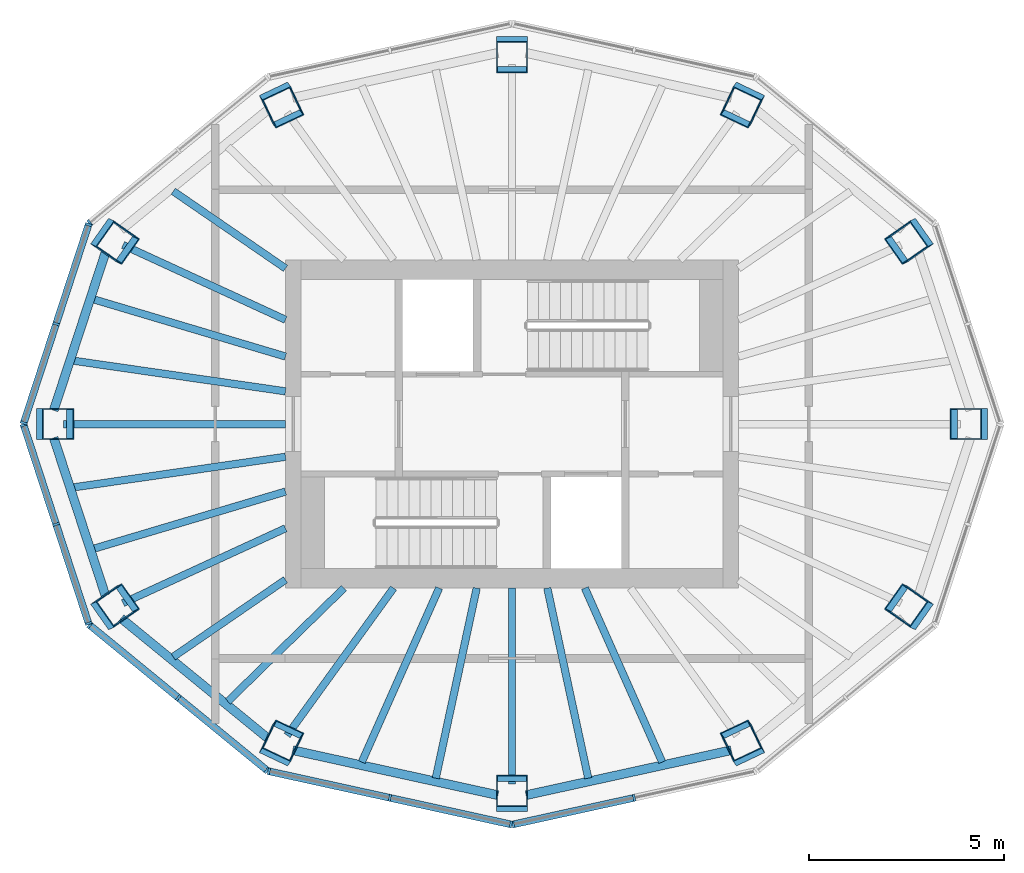
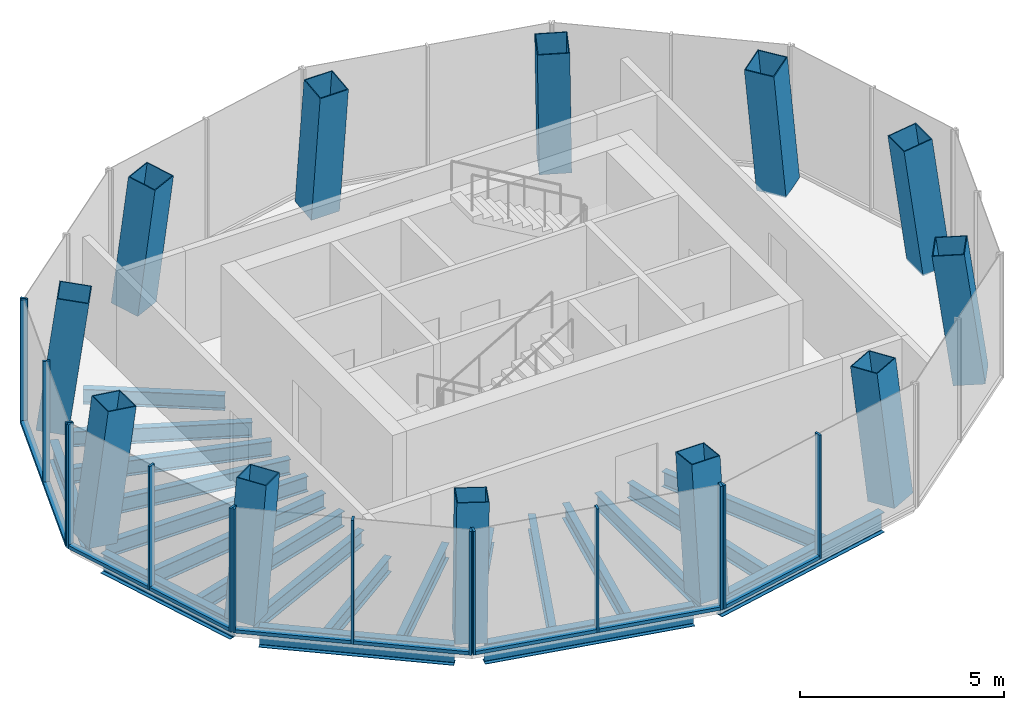
# One storey, part 1 of 5: 24 members, 21 beams, 12 columns, 6 elements without a shape of their own.
"""IFC4 building model written with IfcOpenShell, lengths in metres."""

from ifc_helpers import new_model, si_unit, direction, frame, origin, origin_2d, place, context, subcontext, project, spatial, rectangle, hollow_rectangle, i_section, extrude, material, layer, layer_set, material_profile, profile_set, type_object, element, aggregate, save


model = new_model("IFC4")

# Units and contexts
model_context = context("Model", 3, precision=1e-05, world=origin(), true_north=direction((0.0, 1.0)))
body_context = subcontext(model_context, "Body", "Model", "MODEL_VIEW")
ifc_project = project(units=[si_unit("LENGTHUNIT", "METRE"), si_unit("AREAUNIT", "SQUARE_METRE"), si_unit("VOLUMEUNIT", "CUBIC_METRE"), si_unit("PLANEANGLEUNIT", "RADIAN"), si_unit("MASSUNIT", "GRAM", prefix="KILO")], contexts=[model_context])

# Site, building, storey
site_placement = place(None, origin())
site = spatial("IfcSite", under=ifc_project, at=site_placement, CompositionType="ELEMENT")
building_placement = place(site_placement, origin())
building = spatial("IfcBuilding", under=site, at=building_placement, Name="Siaravel Broadcast Tower", CompositionType="ELEMENT")
storey_placement = place(building_placement, frame((0.0, 0.0, 276.5)))
storey = spatial("IfcBuildingStorey", under=building, at=storey_placement, Name="L67", CompositionType="ELEMENT", Elevation=276.5)

# Columns
ifc_material_1 = material(Name="Concrete C50/60", Category="concrete")
ifc_material_profile_1 = material_profile(ifc_material_1, hollow_rectangle(XDim=0.800048828125, YDim=0.800048828125, WallThickness=0.02490234375, at=origin_2d()))
ifc_profile_set_1 = profile_set([ifc_material_profile_1], Name="Concrete C50/60")
column_type = type_object("IfcColumnType", Name="Crown rib CFT BOX 800x800x25", PredefinedType="COLUMN", material=ifc_profile_set_1)
column_1_placement = place(storey_placement, frame((11.78076171875, 0.0, 0.0), z_axis=(-0.136922778, 0.0, 0.990581725), x_axis=(0.0, -1.0, 0.0)))
element("IfcColumn", 1, at=column_1_placement, inside=storey, type_object=column_type, Name="Crown rib 01", PredefinedType="COLUMN", context=body_context, shape_type="SweptSolid", body=[
    extrude(hollow_rectangle(XDim=0.800048828125, YDim=0.800048828125, WallThickness=0.02490234375, at=origin_2d()), origin(), (0.0, 0.0, 1.0), 3.93701171875),
])
column_2_placement = place(storey_placement, frame((10.235595703125, 4.711181640625, 0.0), z_axis=(-0.11903511, -0.054738773, 0.991380002), x_axis=(0.574404312, -0.818225941, 0.023790672)))
element("IfcColumn", 2, at=column_2_placement, inside=storey, type_object=column_type, Name="Crown rib 02", PredefinedType="COLUMN", context=body_context, shape_type="SweptSolid", body=[
    extrude(hollow_rectangle(XDim=0.800048828125, YDim=0.800048828125, WallThickness=0.02490234375, at=origin_2d()), origin(), (0.0, 0.0, 1.0), 3.933837890625),
])
column_3_placement = place(storey_placement, frame((5.939697265625, 8.22412109375, 0.0), z_axis=(-0.069187562, -0.095793381, 0.992993811), x_axis=(0.903243481, -0.428585039, 0.02158886)))
element("IfcColumn", 3, at=column_3_placement, inside=storey, type_object=column_type, Name="Crown rib 03", PredefinedType="COLUMN", context=body_context, shape_type="SweptSolid", body=[
    extrude(hollow_rectangle(XDim=0.800048828125, YDim=0.800048828125, WallThickness=0.02490234375, at=origin_2d()), origin(), (0.0, 0.0, 1.0), 3.927490234375),
])
column_4_placement = place(storey_placement, frame((0.0, 9.5263671875, 0.0), z_axis=(0.0, -0.111052891, 0.993814497), x_axis=(1.0, 0.0, 0.0)))
element("IfcColumn", 4, at=column_4_placement, inside=storey, type_object=column_type, Name="Crown rib 04", PredefinedType="COLUMN", context=body_context, shape_type="SweptSolid", body=[
    extrude(hollow_rectangle(XDim=0.800048828125, YDim=0.800048828125, WallThickness=0.02490234375, at=origin_2d()), origin(), (0.0, 0.0, 1.0), 3.924072265625),
])
column_5_placement = place(storey_placement, frame((-5.939697265625, 8.22412109375, 0.0), z_axis=(0.069187562, -0.095793381, 0.992993811), x_axis=(0.903243481, 0.428585039, -0.02158886)))
element("IfcColumn", 5, at=column_5_placement, inside=storey, type_object=column_type, Name="Crown rib 05", PredefinedType="COLUMN", context=body_context, shape_type="SweptSolid", body=[
    extrude(hollow_rectangle(XDim=0.800048828125, YDim=0.800048828125, WallThickness=0.02490234375, at=origin_2d()), origin(), (0.0, 0.0, 1.0), 3.927490234375),
])
column_6_placement = place(storey_placement, frame((-10.235595703125, 4.711181640625, 0.0), z_axis=(0.11903511, -0.054738773, 0.991380002), x_axis=(0.574404312, 0.818225941, -0.023790672)))
element("IfcColumn", 6, at=column_6_placement, inside=storey, type_object=column_type, Name="Crown rib 06", PredefinedType="COLUMN", context=body_context, shape_type="SweptSolid", body=[
    extrude(hollow_rectangle(XDim=0.800048828125, YDim=0.800048828125, WallThickness=0.02490234375, at=origin_2d()), origin(), (0.0, 0.0, 1.0), 3.933837890625),
])
column_7_placement = place(storey_placement, frame((-11.78076171875, 0.0, 0.0), z_axis=(0.136922778, 0.0, 0.990581725), x_axis=(0.0, 1.0, 0.0)))
element("IfcColumn", 7, at=column_7_placement, inside=storey, type_object=column_type, Name="Crown rib 07", PredefinedType="COLUMN", context=body_context, shape_type="SweptSolid", body=[
    extrude(hollow_rectangle(XDim=0.800048828125, YDim=0.800048828125, WallThickness=0.02490234375, at=origin_2d()), origin(), (0.0, 0.0, 1.0), 3.93701171875),
])
column_8_placement = place(storey_placement, frame((-10.235595703125, -4.711181640625, 0.0), z_axis=(0.11903511, 0.054738773, 0.991380002), x_axis=(-0.574404312, 0.818225941, 0.023790672)))
element("IfcColumn", 8, at=column_8_placement, inside=storey, type_object=column_type, Name="Crown rib 08", PredefinedType="COLUMN", context=body_context, shape_type="SweptSolid", body=[
    extrude(hollow_rectangle(XDim=0.800048828125, YDim=0.800048828125, WallThickness=0.02490234375, at=origin_2d()), origin(), (0.0, 0.0, 1.0), 3.933837890625),
])
column_9_placement = place(storey_placement, frame((-5.939697265625, -8.22412109375, 0.0), z_axis=(0.069187562, 0.095793381, 0.992993811), x_axis=(-0.903243481, 0.428585039, 0.02158886)))
element("IfcColumn", 9, at=column_9_placement, inside=storey, type_object=column_type, Name="Crown rib 09", PredefinedType="COLUMN", context=body_context, shape_type="SweptSolid", body=[
    extrude(hollow_rectangle(XDim=0.800048828125, YDim=0.800048828125, WallThickness=0.02490234375, at=origin_2d()), origin(), (0.0, 0.0, 1.0), 3.927490234375),
])
column_10_placement = place(storey_placement, frame((0.0, -9.5263671875, 0.0), z_axis=(0.0, 0.111052891, 0.993814497), x_axis=(-1.0, 0.0, 0.0)))
element("IfcColumn", 10, at=column_10_placement, inside=storey, type_object=column_type, Name="Crown rib 10", PredefinedType="COLUMN", context=body_context, shape_type="SweptSolid", body=[
    extrude(hollow_rectangle(XDim=0.800048828125, YDim=0.800048828125, WallThickness=0.02490234375, at=origin_2d()), origin(), (0.0, 0.0, 1.0), 3.924072265625),
])
column_11_placement = place(storey_placement, frame((5.939697265625, -8.22412109375, 0.0), z_axis=(-0.069187562, 0.095793381, 0.992993811), x_axis=(-0.903243481, -0.428585039, -0.02158886)))
element("IfcColumn", 11, at=column_11_placement, inside=storey, type_object=column_type, Name="Crown rib 11", PredefinedType="COLUMN", context=body_context, shape_type="SweptSolid", body=[
    extrude(hollow_rectangle(XDim=0.800048828125, YDim=0.800048828125, WallThickness=0.02490234375, at=origin_2d()), origin(), (0.0, 0.0, 1.0), 3.927490234375),
])
column_12_placement = place(storey_placement, frame((10.235595703125, -4.711181640625, 0.0), z_axis=(-0.11903511, 0.054738773, 0.991380002), x_axis=(-0.574404312, -0.818225941, -0.023790672)))
element("IfcColumn", 12, at=column_12_placement, inside=storey, type_object=column_type, Name="Crown rib 12", PredefinedType="COLUMN", context=body_context, shape_type="SweptSolid", body=[
    extrude(hollow_rectangle(XDim=0.800048828125, YDim=0.800048828125, WallThickness=0.02490234375, at=origin_2d()), origin(), (0.0, 0.0, 1.0), 3.933837890625),
])

# Curtain wall, member
ifc_material_2 = material(Name="Aluminium 6063-T6", Category="aluminium")
ifc_layer = layer(ifc_material_2, 0.179931640625)
ifc_layer_set = layer_set([ifc_layer], Name="Aluminium 6063-T6")
curtain_wall_type = type_object("IfcCurtainWallType", Name="Crown glass facet wall", PredefinedType="NOTDEFINED", material=ifc_layer_set)
curtain_wall_1_placement = place(storey_placement, origin())
curtain_wall_1 = element("IfcCurtainWall", 13, at=curtain_wall_1_placement, inside=storey, type_object=curtain_wall_type, Name="L67 Crown glass facet wall 05", PredefinedType="NOTDEFINED")
ifc_material_profile_2 = material_profile(ifc_material_2, rectangle(XDim=0.179931640625, YDim=0.06005859375, at=origin_2d()))
ifc_profile_set_2 = profile_set([ifc_material_profile_2], Name="Aluminium 6063-T6")
member_type_1 = type_object("IfcMemberType", Name="CW-CR mullion", PredefinedType="MULLION", material=ifc_profile_set_2)
member_1_placement = place(storey_placement, frame((-10.810546875, 5.15185546875, 0.0), z_axis=(0.0, 0.0, 1.0), x_axis=(0.6337126, -0.773568575, 0.0)))
member_1 = element("IfcMember", 14, at=member_1_placement, type_object=member_type_1, Name="CW-CR mullion 3", PredefinedType="MULLION", context=body_context, shape_type="SweptSolid", body=[
    extrude(rectangle(XDim=0.179931640625, YDim=0.06005859375, at=origin_2d()), origin(), (0.0, 0.0, 1.0), 3.699951171875),
])
aggregate(curtain_wall_1, [member_1])

# Curtain wall, members
curtain_wall_2_placement = place(storey_placement, origin())
curtain_wall_2 = element("IfcCurtainWall", 15, at=curtain_wall_2_placement, inside=storey, type_object=curtain_wall_type, Name="L67 Crown glass facet wall 06", PredefinedType="NOTDEFINED")
member_2_placement = place(storey_placement, frame((-10.843017578125, 5.1044921875, 0.0), z_axis=(0.0, 0.0, 1.0), x_axis=(0.950455683, -0.310860089, 0.0)))
member_2 = element("IfcMember", 16, at=member_2_placement, type_object=member_type_1, Name="CW-CR mullion 1", PredefinedType="MULLION", context=body_context, shape_type="SweptSolid", body=[
    extrude(rectangle(XDim=0.179931640625, YDim=0.06005859375, at=origin_2d()), origin(), (0.0, 0.0, 1.0), 3.699951171875),
])
member_3_placement = place(storey_placement, frame((-11.673095703125, 2.56640625, 0.0), z_axis=(0.0, 0.0, 1.0), x_axis=(0.950455683, -0.310860089, 0.0)))
member_3 = element("IfcMember", 17, at=member_3_placement, type_object=member_type_1, Name="CW-CR mullion 2", PredefinedType="MULLION", context=body_context, shape_type="SweptSolid", body=[
    extrude(rectangle(XDim=0.179931640625, YDim=0.06005859375, at=origin_2d()), origin(), (0.0, 0.0, 1.0), 3.699951171875),
])
member_4_placement = place(storey_placement, frame((-12.503173828125, 0.028564453125, 0.0), z_axis=(0.0, 0.0, 1.0), x_axis=(0.950455683, -0.310860089, 0.0)))
member_4 = element("IfcMember", 18, at=member_4_placement, type_object=member_type_1, Name="CW-CR mullion 3", PredefinedType="MULLION", context=body_context, shape_type="SweptSolid", body=[
    extrude(rectangle(XDim=0.179931640625, YDim=0.06005859375, at=origin_2d()), origin(), (0.0, 0.0, 1.0), 3.699951171875),
])

curtain_wall_3_placement = place(storey_placement, origin())
curtain_wall_3 = element("IfcCurtainWall", 19, at=curtain_wall_3_placement, inside=storey, type_object=curtain_wall_type, Name="L67 Crown glass facet wall 07", PredefinedType="NOTDEFINED")
member_5_placement = place(storey_placement, frame((-12.503173828125, -0.028564453125, 0.0), z_axis=(0.0, 0.0, 1.0), x_axis=(0.950455683, 0.310860089, 0.0)))
member_5 = element("IfcMember", 20, at=member_5_placement, type_object=member_type_1, Name="CW-CR mullion 1", PredefinedType="MULLION", context=body_context, shape_type="SweptSolid", body=[
    extrude(rectangle(XDim=0.179931640625, YDim=0.06005859375, at=origin_2d()), origin(), (0.0, 0.0, 1.0), 3.699951171875),
])
member_6_placement = place(storey_placement, frame((-11.673095703125, -2.56640625, 0.0), z_axis=(0.0, 0.0, 1.0), x_axis=(0.950455683, 0.310860089, 0.0)))
member_6 = element("IfcMember", 21, at=member_6_placement, type_object=member_type_1, Name="CW-CR mullion 2", PredefinedType="MULLION", context=body_context, shape_type="SweptSolid", body=[
    extrude(rectangle(XDim=0.179931640625, YDim=0.06005859375, at=origin_2d()), origin(), (0.0, 0.0, 1.0), 3.699951171875),
])
member_7_placement = place(storey_placement, frame((-10.843017578125, -5.1044921875, 0.0), z_axis=(0.0, 0.0, 1.0), x_axis=(0.950455683, 0.310860089, 0.0)))
member_7 = element("IfcMember", 22, at=member_7_placement, type_object=member_type_1, Name="CW-CR mullion 3", PredefinedType="MULLION", context=body_context, shape_type="SweptSolid", body=[
    extrude(rectangle(XDim=0.179931640625, YDim=0.06005859375, at=origin_2d()), origin(), (0.0, 0.0, 1.0), 3.699951171875),
])

curtain_wall_4_placement = place(storey_placement, origin())
curtain_wall_4 = element("IfcCurtainWall", 23, at=curtain_wall_4_placement, inside=storey, type_object=curtain_wall_type, Name="L67 Crown glass facet wall 08", PredefinedType="NOTDEFINED")
member_8_placement = place(storey_placement, frame((-10.810546875, -5.15185546875, 0.0), z_axis=(0.0, 0.0, 1.0), x_axis=(0.6337126, 0.773568575, 0.0)))
member_8 = element("IfcMember", 24, at=member_8_placement, type_object=member_type_1, Name="CW-CR mullion 1", PredefinedType="MULLION", context=body_context, shape_type="SweptSolid", body=[
    extrude(rectangle(XDim=0.179931640625, YDim=0.06005859375, at=origin_2d()), origin(), (0.0, 0.0, 1.0), 3.699951171875),
])
member_9_placement = place(storey_placement, frame((-8.543212890625, -7.00927734375, 0.0), z_axis=(0.0, 0.0, 1.0), x_axis=(0.6337126, 0.773568575, 0.0)))
member_9 = element("IfcMember", 25, at=member_9_placement, type_object=member_type_1, Name="CW-CR mullion 2", PredefinedType="MULLION", context=body_context, shape_type="SweptSolid", body=[
    extrude(rectangle(XDim=0.179931640625, YDim=0.06005859375, at=origin_2d()), origin(), (0.0, 0.0, 1.0), 3.699951171875),
])
member_10_placement = place(storey_placement, frame((-6.27587890625, -8.86669921875, 0.0), z_axis=(0.0, 0.0, 1.0), x_axis=(0.6337126, 0.773568575, 0.0)))
member_10 = element("IfcMember", 26, at=member_10_placement, type_object=member_type_1, Name="CW-CR mullion 3", PredefinedType="MULLION", context=body_context, shape_type="SweptSolid", body=[
    extrude(rectangle(XDim=0.179931640625, YDim=0.06005859375, at=origin_2d()), origin(), (0.0, 0.0, 1.0), 3.699951171875),
])

curtain_wall_5_placement = place(storey_placement, origin())
curtain_wall_5 = element("IfcCurtainWall", 27, at=curtain_wall_5_placement, inside=storey, type_object=curtain_wall_type, Name="L67 Crown glass facet wall 09", PredefinedType="NOTDEFINED")
member_11_placement = place(storey_placement, frame((-6.223388671875, -8.89208984375, 0.0), z_axis=(0.0, 0.0, 1.0), x_axis=(0.214394106, 0.976747238, 0.0)))
member_11 = element("IfcMember", 28, at=member_11_placement, type_object=member_type_1, Name="CW-CR mullion 1", PredefinedType="MULLION", context=body_context, shape_type="SweptSolid", body=[
    extrude(rectangle(XDim=0.179931640625, YDim=0.06005859375, at=origin_2d()), origin(), (0.0, 0.0, 1.0), 3.699951171875),
])
member_12_placement = place(storey_placement, frame((-3.126220703125, -9.572021484375, 0.0), z_axis=(0.0, 0.0, 1.0), x_axis=(0.214394106, 0.976747238, 0.0)))
member_12 = element("IfcMember", 29, at=member_12_placement, type_object=member_type_1, Name="CW-CR mullion 2", PredefinedType="MULLION", context=body_context, shape_type="SweptSolid", body=[
    extrude(rectangle(XDim=0.179931640625, YDim=0.06005859375, at=origin_2d()), origin(), (0.0, 0.0, 1.0), 3.699951171875),
])
member_13_placement = place(storey_placement, frame((-0.029296875, -10.251708984375, 0.0), z_axis=(0.0, 0.0, 1.0), x_axis=(0.214394106, 0.976747238, 0.0)))
member_13 = element("IfcMember", 30, at=member_13_placement, type_object=member_type_1, Name="CW-CR mullion 3", PredefinedType="MULLION", context=body_context, shape_type="SweptSolid", body=[
    extrude(rectangle(XDim=0.179931640625, YDim=0.06005859375, at=origin_2d()), origin(), (0.0, 0.0, 1.0), 3.699951171875),
])

curtain_wall_6_placement = place(storey_placement, origin())
curtain_wall_6 = element("IfcCurtainWall", 31, at=curtain_wall_6_placement, inside=storey, type_object=curtain_wall_type, Name="L67 Crown glass facet wall 10", PredefinedType="NOTDEFINED")
member_14_placement = place(storey_placement, frame((0.029296875, -10.251708984375, 0.0), z_axis=(0.0, 0.0, 1.0), x_axis=(-0.214394106, 0.976747238, 0.0)))
member_14 = element("IfcMember", 32, at=member_14_placement, type_object=member_type_1, Name="CW-CR mullion 1", PredefinedType="MULLION", context=body_context, shape_type="SweptSolid", body=[
    extrude(rectangle(XDim=0.179931640625, YDim=0.06005859375, at=origin_2d()), origin(), (0.0, 0.0, 1.0), 3.699951171875),
])
member_15_placement = place(storey_placement, frame((3.126220703125, -9.572021484375, 0.0), z_axis=(0.0, 0.0, 1.0), x_axis=(-0.214394106, 0.976747238, 0.0)))
member_15 = element("IfcMember", 33, at=member_15_placement, type_object=member_type_1, Name="CW-CR mullion 2", PredefinedType="MULLION", context=body_context, shape_type="SweptSolid", body=[
    extrude(rectangle(XDim=0.179931640625, YDim=0.06005859375, at=origin_2d()), origin(), (0.0, 0.0, 1.0), 3.699951171875),
])

# Member
ifc_material_profile_3 = material_profile(ifc_material_2, rectangle(XDim=0.179931640625, YDim=0.10009765625, at=origin_2d()))
ifc_profile_set_3 = profile_set([ifc_material_profile_3], Name="Aluminium 6063-T6")
member_type_2 = type_object("IfcMemberType", Name="CW-CR transom", PredefinedType="USERDEFINED", material=ifc_profile_set_3)
member_16_placement = place(storey_placement, frame((-10.852294921875, 5.075927734375, 0.050048828125), z_axis=(-0.310891599, -0.950445376, 0.0), x_axis=(0.950445376, -0.310891599, 0.0)))
member_16 = element("IfcMember", 34, at=member_16_placement, type_object=member_type_2, Name="CW-CR transom 1", ObjectType="TRANSOM", PredefinedType="USERDEFINED", context=body_context, shape_type="SweptSolid", body=[
    extrude(rectangle(XDim=0.179931640625, YDim=0.10009765625, at=origin_2d()), origin(), (0.0, 0.0, 1.0), 2.6103515625),
])

member_17_placement = place(storey_placement, frame((-11.682373046875, 2.537841796875, 0.050048828125), z_axis=(-0.310891599, -0.950445376, 0.0), x_axis=(0.950445376, -0.310891599, 0.0)))
member_17 = element("IfcMember", 35, at=member_17_placement, type_object=member_type_2, Name="CW-CR transom 2", ObjectType="TRANSOM", PredefinedType="USERDEFINED", context=body_context, shape_type="SweptSolid", body=[
    extrude(rectangle(XDim=0.179931640625, YDim=0.10009765625, at=origin_2d()), origin(), (0.0, 0.0, 1.0), 2.6103515625),
])

aggregate(curtain_wall_2, [member_2, member_3, member_4, member_16, member_17])

member_18_placement = place(storey_placement, frame((-12.493896484375, -0.056884765625, 0.050048828125), z_axis=(0.310891599, -0.950445376, 0.0), x_axis=(0.950445376, 0.310891599, 0.0)))
member_18 = element("IfcMember", 36, at=member_18_placement, type_object=member_type_2, Name="CW-CR transom 1", ObjectType="TRANSOM", PredefinedType="USERDEFINED", context=body_context, shape_type="SweptSolid", body=[
    extrude(rectangle(XDim=0.179931640625, YDim=0.10009765625, at=origin_2d()), origin(), (0.0, 0.0, 1.0), 2.6103515625),
])

member_19_placement = place(storey_placement, frame((-11.663818359375, -2.594970703125, 0.050048828125), z_axis=(0.310891599, -0.950445376, 0.0), x_axis=(0.950445376, 0.310891599, 0.0)))
member_19 = element("IfcMember", 37, at=member_19_placement, type_object=member_type_2, Name="CW-CR transom 2", ObjectType="TRANSOM", PredefinedType="USERDEFINED", context=body_context, shape_type="SweptSolid", body=[
    extrude(rectangle(XDim=0.179931640625, YDim=0.10009765625, at=origin_2d()), origin(), (0.0, 0.0, 1.0), 2.6103515625),
])

aggregate(curtain_wall_3, [member_5, member_6, member_7, member_18, member_19])

member_20_placement = place(storey_placement, frame((-10.787353515625, -5.1708984375, 0.050048828125), z_axis=(0.773582074, -0.633696121, 0.0), x_axis=(0.633696121, 0.773582074, 0.0)))
member_20 = element("IfcMember", 38, at=member_20_placement, type_object=member_type_2, Name="CW-CR transom 1", ObjectType="TRANSOM", PredefinedType="USERDEFINED", context=body_context, shape_type="SweptSolid", body=[
    extrude(rectangle(XDim=0.179931640625, YDim=0.10009765625, at=origin_2d()), origin(), (0.0, 0.0, 1.0), 2.87109375),
])

member_21_placement = place(storey_placement, frame((-8.52001953125, -7.0283203125, 0.050048828125), z_axis=(0.773582074, -0.633696121, 0.0), x_axis=(0.633696121, 0.773582074, 0.0)))
member_21 = element("IfcMember", 39, at=member_21_placement, type_object=member_type_2, Name="CW-CR transom 2", ObjectType="TRANSOM", PredefinedType="USERDEFINED", context=body_context, shape_type="SweptSolid", body=[
    extrude(rectangle(XDim=0.179931640625, YDim=0.10009765625, at=origin_2d()), origin(), (0.0, 0.0, 1.0), 2.87109375),
])

aggregate(curtain_wall_4, [member_8, member_9, member_10, member_20, member_21])

member_22_placement = place(storey_placement, frame((-6.194091796875, -8.898681640625, 0.050048828125), z_axis=(0.976761577, -0.21432877, 0.0), x_axis=(0.21432877, 0.976761577, 0.0)))
member_22 = element("IfcMember", 40, at=member_22_placement, type_object=member_type_2, Name="CW-CR transom 1", ObjectType="TRANSOM", PredefinedType="USERDEFINED", context=body_context, shape_type="SweptSolid", body=[
    extrude(rectangle(XDim=0.179931640625, YDim=0.10009765625, at=origin_2d()), origin(), (0.0, 0.0, 1.0), 3.11083984375),
])

member_23_placement = place(storey_placement, frame((-3.096923828125, -9.578369140625, 0.050048828125), z_axis=(0.976741537, -0.214420079, 0.0), x_axis=(0.214420079, 0.976741537, 0.0)))
member_23 = element("IfcMember", 41, at=member_23_placement, type_object=member_type_2, Name="CW-CR transom 2", ObjectType="TRANSOM", PredefinedType="USERDEFINED", context=body_context, shape_type="SweptSolid", body=[
    extrude(rectangle(XDim=0.179931640625, YDim=0.10009765625, at=origin_2d()), origin(), (0.0, 0.0, 1.0), 3.110595703125),
])

aggregate(curtain_wall_5, [member_11, member_12, member_13, member_22, member_23])

member_24_placement = place(storey_placement, frame((0.05859375, -10.245361328125, 0.050048828125), z_axis=(0.976741537, 0.214420079, 0.0), x_axis=(-0.214420079, 0.976741537, 0.0)))
member_24 = element("IfcMember", 42, at=member_24_placement, type_object=member_type_2, Name="CW-CR transom 1", ObjectType="TRANSOM", PredefinedType="USERDEFINED", context=body_context, shape_type="SweptSolid", body=[
    extrude(rectangle(XDim=0.179931640625, YDim=0.10009765625, at=origin_2d()), origin(), (0.0, 0.0, 1.0), 3.110595703125),
])

aggregate(curtain_wall_6, [member_14, member_15, member_24])

# Beams
ifc_material_3 = material(Name="Steel S355", Category="steel")
ifc_material_profile_4 = material_profile(ifc_material_3, i_section(OverallWidth=0.18994140625, OverallDepth=0.453369140625, WebThickness=0.008544921875, FlangeThickness=0.0126953125, FilletRadius=0.01025390625, at=origin_2d()))
ifc_profile_set_4 = profile_set([ifc_material_profile_4], Name="Steel S355")
beam_type_1 = type_object("IfcBeamType", Name="Crown radial beam UB 457x191x67", PredefinedType="BEAM", material=ifc_profile_set_4)
beam_1_placement = place(storey_placement, frame((-8.673583984375, 5.96142578125, -0.4267578125), z_axis=(0.824135892, -0.566392118, 0.0), x_axis=(0.566392118, 0.824135892, 0.0)))
element("IfcBeam", 43, at=beam_1_placement, inside=storey, type_object=beam_type_1, Name="Crown radial beam 2-15", PredefinedType="BEAM", context=body_context, shape_type="SweptSolid", body=[
    extrude(i_section(OverallWidth=0.18994140625, OverallDepth=0.453369140625, WebThickness=0.008544921875, FlangeThickness=0.0126953125, FilletRadius=0.01025390625, at=origin_2d()), origin(), (0.0, 0.0, 1.0), 3.48681640625),
])
beam_2_placement = place(storey_placement, frame((-9.95947265625, 4.584228515625, -0.4267578125), z_axis=(0.908389615, -0.41812475, 0.0), x_axis=(0.41812475, 0.908389615, 0.0)))
element("IfcBeam", 44, at=beam_2_placement, inside=storey, type_object=beam_type_1, Name="Crown radial beam 2-16", PredefinedType="BEAM", context=body_context, shape_type="SweptSolid", body=[
    extrude(i_section(OverallWidth=0.18994140625, OverallDepth=0.453369140625, WebThickness=0.008544921875, FlangeThickness=0.0126953125, FilletRadius=0.01025390625, at=origin_2d()), origin(), (0.0, 0.0, 1.0), 4.578857421875),
])
beam_3_placement = place(storey_placement, frame((-10.714111328125, 3.194091796875, -0.4267578125), z_axis=(0.958328015, -0.285670116, 0.0), x_axis=(0.285670116, 0.958328015, 0.0)))
element("IfcBeam", 45, at=beam_3_placement, inside=storey, type_object=beam_type_1, Name="Crown radial beam 2-17", PredefinedType="BEAM", context=body_context, shape_type="SweptSolid", body=[
    extrude(i_section(OverallWidth=0.18994140625, OverallDepth=0.453369140625, WebThickness=0.008544921875, FlangeThickness=0.0126953125, FilletRadius=0.01025390625, at=origin_2d()), origin(), (0.0, 0.0, 1.0), 5.127685546875),
])
beam_4_placement = place(storey_placement, frame((-11.23095703125, 1.6220703125, -0.4267578125), z_axis=(0.989729406, -0.142953499, 0.0), x_axis=(0.142953499, 0.989729406, 0.0)))
element("IfcBeam", 46, at=beam_4_placement, inside=storey, type_object=beam_type_1, Name="Crown radial beam 2-18", PredefinedType="BEAM", context=body_context, shape_type="SweptSolid", body=[
    extrude(i_section(OverallWidth=0.18994140625, OverallDepth=0.453369140625, WebThickness=0.008544921875, FlangeThickness=0.0126953125, FilletRadius=0.01025390625, at=origin_2d()), origin(), (0.0, 0.0, 1.0), 5.4873046875),
])
beam_5_placement = place(storey_placement, frame((-11.479736328125, 0.0, -0.4267578125), z_axis=(1.0, 0.0, 0.0), x_axis=(0.0, 1.0, 0.0)))
element("IfcBeam", 47, at=beam_5_placement, inside=storey, type_object=beam_type_1, Name="Crown radial beam 2-19", PredefinedType="BEAM", context=body_context, shape_type="SweptSolid", body=[
    extrude(i_section(OverallWidth=0.18994140625, OverallDepth=0.453369140625, WebThickness=0.008544921875, FlangeThickness=0.0126953125, FilletRadius=0.01025390625, at=origin_2d()), origin(), (0.0, 0.0, 1.0), 5.6796875),
])
beam_6_placement = place(storey_placement, frame((-11.23095703125, -1.6220703125, -0.4267578125), z_axis=(0.989729406, 0.142953499, 0.0), x_axis=(-0.142953499, 0.989729406, 0.0)))
element("IfcBeam", 48, at=beam_6_placement, inside=storey, type_object=beam_type_1, Name="Crown radial beam 2-20", PredefinedType="BEAM", context=body_context, shape_type="SweptSolid", body=[
    extrude(i_section(OverallWidth=0.18994140625, OverallDepth=0.453369140625, WebThickness=0.008544921875, FlangeThickness=0.0126953125, FilletRadius=0.01025390625, at=origin_2d()), origin(), (0.0, 0.0, 1.0), 5.4873046875),
])
beam_7_placement = place(storey_placement, frame((-10.714111328125, -3.194091796875, -0.4267578125), z_axis=(0.958328015, 0.285670116, 0.0), x_axis=(-0.285670116, 0.958328015, 0.0)))
element("IfcBeam", 49, at=beam_7_placement, inside=storey, type_object=beam_type_1, Name="Crown radial beam 2-21", PredefinedType="BEAM", context=body_context, shape_type="SweptSolid", body=[
    extrude(i_section(OverallWidth=0.18994140625, OverallDepth=0.453369140625, WebThickness=0.008544921875, FlangeThickness=0.0126953125, FilletRadius=0.01025390625, at=origin_2d()), origin(), (0.0, 0.0, 1.0), 5.127685546875),
])
beam_8_placement = place(storey_placement, frame((-9.95947265625, -4.584228515625, -0.4267578125), z_axis=(0.908389615, 0.41812475, 0.0), x_axis=(-0.41812475, 0.908389615, 0.0)))
element("IfcBeam", 50, at=beam_8_placement, inside=storey, type_object=beam_type_1, Name="Crown radial beam 2-22", PredefinedType="BEAM", context=body_context, shape_type="SweptSolid", body=[
    extrude(i_section(OverallWidth=0.18994140625, OverallDepth=0.453369140625, WebThickness=0.008544921875, FlangeThickness=0.0126953125, FilletRadius=0.01025390625, at=origin_2d()), origin(), (0.0, 0.0, 1.0), 4.578857421875),
])
beam_9_placement = place(storey_placement, frame((-8.673583984375, -5.96142578125, -0.4267578125), z_axis=(0.824135892, 0.566392118, 0.0), x_axis=(-0.566392118, 0.824135892, 0.0)))
element("IfcBeam", 51, at=beam_9_placement, inside=storey, type_object=beam_type_1, Name="Crown radial beam 2-23", PredefinedType="BEAM", context=body_context, shape_type="SweptSolid", body=[
    extrude(i_section(OverallWidth=0.18994140625, OverallDepth=0.453369140625, WebThickness=0.008544921875, FlangeThickness=0.0126953125, FilletRadius=0.01025390625, at=origin_2d()), origin(), (0.0, 0.0, 1.0), 3.48681640625),
])
beam_10_placement = place(storey_placement, frame((-7.27490234375, -7.1015625, -0.4267578125), z_axis=(0.715577703, 0.698533142, 0.0), x_axis=(-0.698533142, 0.715577703, 0.0)))
element("IfcBeam", 52, at=beam_10_placement, inside=storey, type_object=beam_type_1, Name="Crown radial beam 2-24", PredefinedType="BEAM", context=body_context, shape_type="SweptSolid", body=[
    extrude(i_section(OverallWidth=0.18994140625, OverallDepth=0.453369140625, WebThickness=0.008544921875, FlangeThickness=0.0126953125, FilletRadius=0.01025390625, at=origin_2d()), origin(), (0.0, 0.0, 1.0), 4.15380859375),
])
beam_11_placement = place(storey_placement, frame((-5.7578125, -7.972412109375, -0.4267578125), z_axis=(0.585498216, 0.810673695, 0.0), x_axis=(-0.810673695, 0.585498216, 0.0)))
element("IfcBeam", 53, at=beam_11_placement, inside=storey, type_object=beam_type_1, Name="Crown radial beam 2-25", PredefinedType="BEAM", context=body_context, shape_type="SweptSolid", body=[
    extrude(i_section(OverallWidth=0.18994140625, OverallDepth=0.453369140625, WebThickness=0.008544921875, FlangeThickness=0.0126953125, FilletRadius=0.01025390625, at=origin_2d()), origin(), (0.0, 0.0, 1.0), 4.653564453125),
])
beam_12_placement = place(storey_placement, frame((-3.845703125, -8.655029296875, -0.4267578125), z_axis=(0.406045533, 0.913852847, 0.0), x_axis=(-0.913852847, 0.406045533, 0.0)))
element("IfcBeam", 54, at=beam_12_placement, inside=storey, type_object=beam_type_1, Name="Crown radial beam 2-26", PredefinedType="BEAM", context=body_context, shape_type="SweptSolid", body=[
    extrude(i_section(OverallWidth=0.18994140625, OverallDepth=0.453369140625, WebThickness=0.008544921875, FlangeThickness=0.0126953125, FilletRadius=0.01025390625, at=origin_2d()), origin(), (0.0, 0.0, 1.0), 4.875),
])
beam_13_placement = place(storey_placement, frame((-1.9521484375, -9.068603515625, -0.4267578125), z_axis=(0.210453007, 0.977603975, 0.0), x_axis=(-0.977603975, 0.210453007, 0.0)))
element("IfcBeam", 55, at=beam_13_placement, inside=storey, type_object=beam_type_1, Name="Crown radial beam 2-27", PredefinedType="BEAM", context=body_context, shape_type="SweptSolid", body=[
    extrude(i_section(OverallWidth=0.18994140625, OverallDepth=0.453369140625, WebThickness=0.008544921875, FlangeThickness=0.0126953125, FilletRadius=0.01025390625, at=origin_2d()), origin(), (0.0, 0.0, 1.0), 4.980224609375),
])
beam_14_placement = place(storey_placement, frame((0.0, -9.21240234375, -0.4267578125), z_axis=(0.0, 1.0, 0.0), x_axis=(-1.0, 0.0, 0.0)))
element("IfcBeam", 56, at=beam_14_placement, inside=storey, type_object=beam_type_1, Name="Crown radial beam 2-28", PredefinedType="BEAM", context=body_context, shape_type="SweptSolid", body=[
    extrude(i_section(OverallWidth=0.18994140625, OverallDepth=0.453369140625, WebThickness=0.008544921875, FlangeThickness=0.0126953125, FilletRadius=0.01025390625, at=origin_2d()), origin(), (0.0, 0.0, 1.0), 5.012451171875),
])
beam_15_placement = place(storey_placement, frame((1.9521484375, -9.068603515625, -0.4267578125), z_axis=(-0.210453007, 0.977603975, 0.0), x_axis=(-0.977603975, -0.210453007, 0.0)))
element("IfcBeam", 57, at=beam_15_placement, inside=storey, type_object=beam_type_1, Name="Crown radial beam 2-29", PredefinedType="BEAM", context=body_context, shape_type="SweptSolid", body=[
    extrude(i_section(OverallWidth=0.18994140625, OverallDepth=0.453369140625, WebThickness=0.008544921875, FlangeThickness=0.0126953125, FilletRadius=0.01025390625, at=origin_2d()), origin(), (0.0, 0.0, 1.0), 4.980224609375),
])
beam_16_placement = place(storey_placement, frame((3.845703125, -8.655029296875, -0.4267578125), z_axis=(-0.406045533, 0.913852847, 0.0), x_axis=(-0.913852847, -0.406045533, 0.0)))
element("IfcBeam", 58, at=beam_16_placement, inside=storey, type_object=beam_type_1, Name="Crown radial beam 2-30", PredefinedType="BEAM", context=body_context, shape_type="SweptSolid", body=[
    extrude(i_section(OverallWidth=0.18994140625, OverallDepth=0.453369140625, WebThickness=0.008544921875, FlangeThickness=0.0126953125, FilletRadius=0.01025390625, at=origin_2d()), origin(), (0.0, 0.0, 1.0), 4.875),
])
ifc_material_profile_5 = material_profile(ifc_material_3, i_section(OverallWidth=0.2275390625, OverallDepth=0.6025390625, WebThickness=0.010498046875, FlangeThickness=0.014892578125, FilletRadius=0.0126953125, at=origin_2d()))
ifc_profile_set_5 = profile_set([ifc_material_profile_5], Name="Steel S355")
beam_type_2 = type_object("IfcBeamType", Name="Crown ring beam UB 610x229x101", PredefinedType="SPANDREL", material=ifc_profile_set_5)
for number, where, z_axis, x_axis, name in (
    (59, (-10.410888671875, 4.387451171875, -0.501220703125), (-0.311654468, -0.950195502, 0.0), (0.950195502, -0.311654468, 0.0), "Crown ring beam 2-06"),
    (60, (-11.734619140625, -0.3515625, -0.501220703125), (0.311654468, -0.950195502, 0.0), (0.950195502, 0.311654468, 0.0), "Crown ring beam 2-07"),
):
    element("IfcBeam", number, at=place(storey_placement, frame(where, z_axis=z_axis, x_axis=x_axis)), inside=storey, type_object=beam_type_2, Name=name, PredefinedType="SPANDREL", context=body_context, shape_type="SweptSolid", body=[
        extrude(i_section(OverallWidth=0.2275390625, OverallDepth=0.6025390625, WebThickness=0.010498046875, FlangeThickness=0.014892578125, FilletRadius=0.0126953125, at=origin_2d()), origin(), (0.0, 0.0, 1.0), 4.247314453125),
    ])
beam_17_placement = place(storey_placement, frame((-10.009033203125, -4.97314453125, -0.501220703125), z_axis=(0.774123525, -0.633034571, 0.0), x_axis=(0.633034571, 0.774123525, 0.0)))
element("IfcBeam", 61, at=beam_17_placement, inside=storey, type_object=beam_type_2, Name="Crown ring beam 2-08", PredefinedType="SPANDREL", context=body_context, shape_type="SweptSolid", body=[
    extrude(i_section(OverallWidth=0.2275390625, OverallDepth=0.6025390625, WebThickness=0.010498046875, FlangeThickness=0.014892578125, FilletRadius=0.0126953125, at=origin_2d()), origin(), (0.0, 0.0, 1.0), 4.841552734375),
])
for number, where, z_axis, x_axis, name in (
    (62, (-5.613037109375, -8.351806640625, -0.501220703125), (0.97681017, -0.214107199, 0.0), (0.214107199, 0.97681017, 0.0), "Crown ring beam 2-09"),
    (63, (0.361328125, -9.5029296875, -0.501220703125), (0.97681017, 0.214107199, 0.0), (-0.214107199, 0.97681017, 0.0), "Crown ring beam 2-10"),
):
    element("IfcBeam", number, at=place(storey_placement, frame(where, z_axis=z_axis, x_axis=x_axis)), inside=storey, type_object=beam_type_2, Name=name, PredefinedType="SPANDREL", context=body_context, shape_type="SweptSolid", body=[
        extrude(i_section(OverallWidth=0.2275390625, OverallDepth=0.6025390625, WebThickness=0.010498046875, FlangeThickness=0.014892578125, FilletRadius=0.0126953125, at=origin_2d()), origin(), (0.0, 0.0, 1.0), 5.37646484375),
    ])

save(model, "model.ifc")
